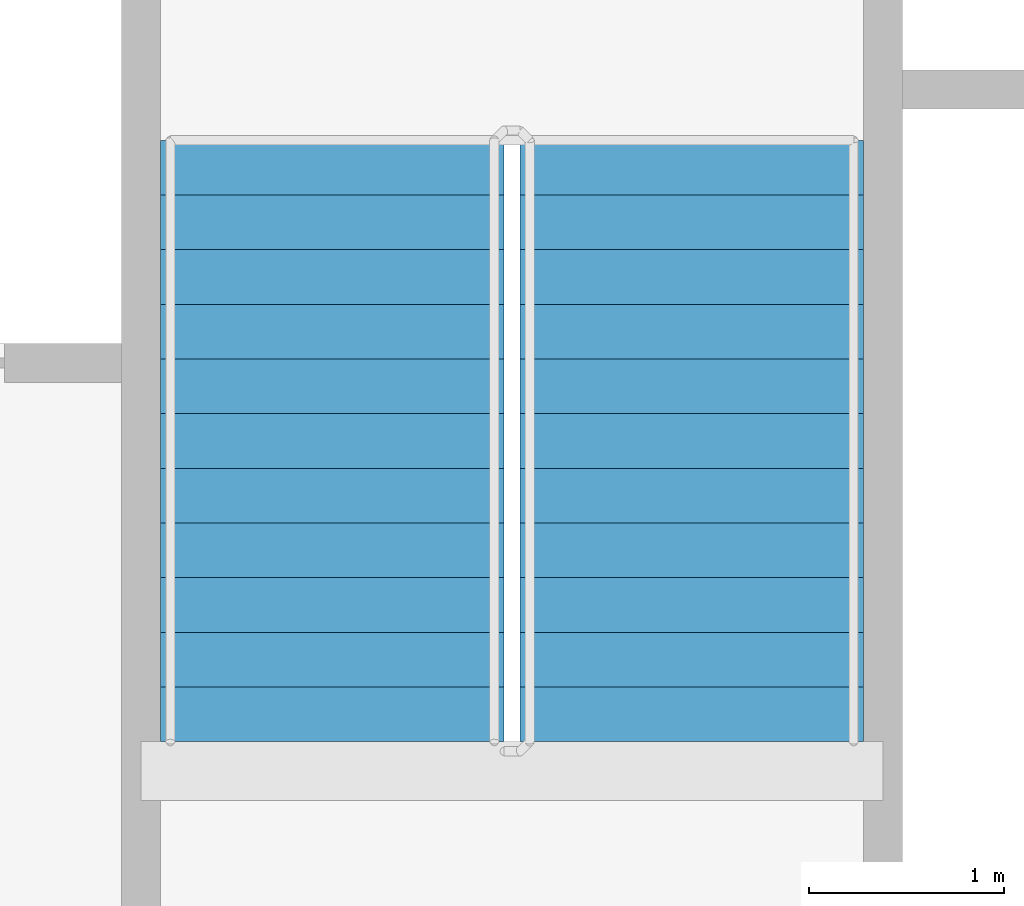
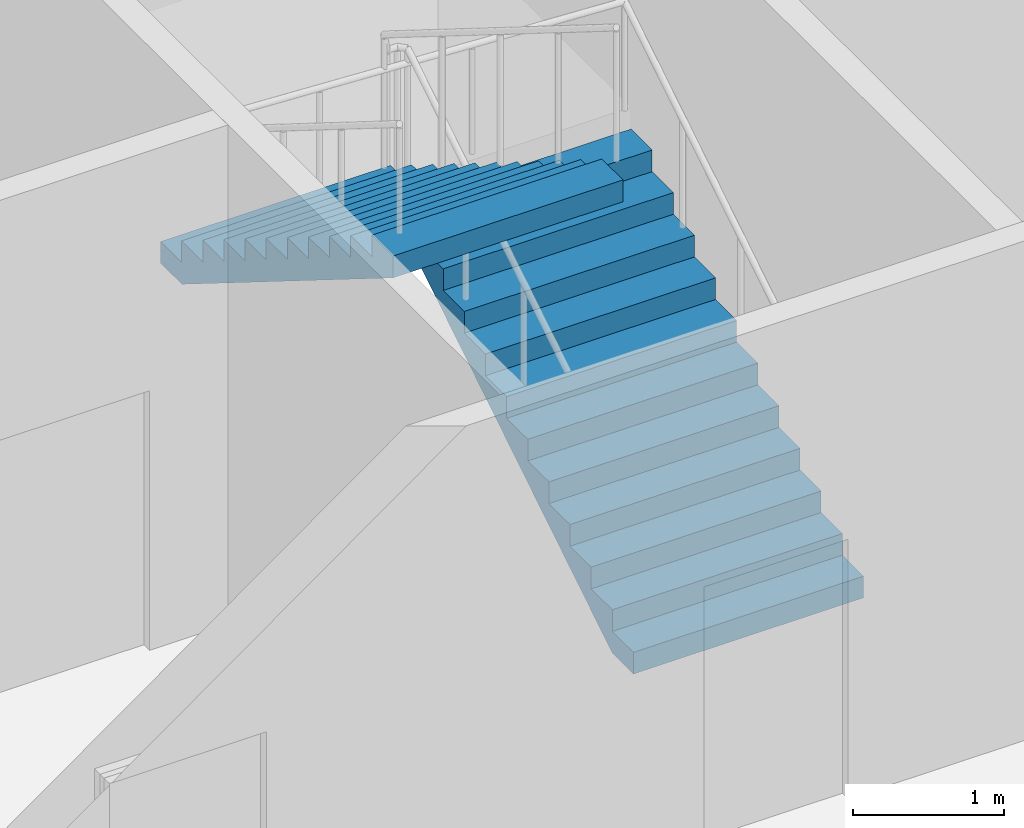
# One storey, part 31 of 36: 2 stair flights, 1 element without a shape of its own.
"""IFC4 building model written with IfcOpenShell, lengths in metres."""

from ifc_helpers import new_model, si_unit, direction, frame, origin, place, context, subcontext, project, spatial, faceted_brep, material, type_object, element, aggregate, save


model = new_model("IFC4")

# Units and contexts
model_context = context("Model", 3, precision=1e-05, world=origin(), true_north=direction((0.0, 1.0)))
body_context = subcontext(model_context, "Body", "Model", "MODEL_VIEW")
ifc_project = project(units=[si_unit("LENGTHUNIT", "METRE"), si_unit("AREAUNIT", "SQUARE_METRE"), si_unit("VOLUMEUNIT", "CUBIC_METRE"), si_unit("PLANEANGLEUNIT", "RADIAN"), si_unit("MASSUNIT", "GRAM", prefix="KILO")], contexts=[model_context])

# Site, building, storey
site_placement = place(None, origin())
site = spatial("IfcSite", under=ifc_project, at=site_placement, CompositionType="ELEMENT")
building_placement = place(site_placement, origin())
building = spatial("IfcBuilding", under=site, at=building_placement, Name="Tarsis Ring Headquarters", CompositionType="ELEMENT")
storey_placement = place(building_placement, frame((0.0, 0.0, 386.0)))
storey = spatial("IfcBuildingStorey", under=building, at=storey_placement, Name="L91", CompositionType="ELEMENT", Elevation=386.0)

# Stair, stair flights
ifc_material_1 = material(Name="Core stair 1760")
stair_type = type_object("IfcStairType", Name="Core stair 1760", PredefinedType="HALF_TURN_STAIR", material=ifc_material_1)
stair_placement = place(storey_placement, origin())
stair = element("IfcStair", 1, at=stair_placement, inside=storey, type_object=stair_type, Name="L91 Exit stair B", PredefinedType="HALF_TURN_STAIR")
ifc_material_2 = material(Name="Concrete C40/50", Category="concrete")
stair_flight_type = type_object("IfcStairFlightType", Name="Core stair flight 1760", PredefinedType="STRAIGHT", material=ifc_material_2)
stair_flight_1_placement = place(storey_placement, frame((5.419921875, 3.659912109375, 0.0), z_axis=(0.0, 0.0, 1.0), x_axis=(0.0, 1.0, 0.0)))
stair_flight_1 = element("IfcStairFlight", 2, at=stair_flight_1_placement, type_object=stair_flight_type, Name="Stair ST2 flight 1", NumberOfRisers=12, NumberOfTreads=11, PredefinedType="STRAIGHT", RiserHeight=0.175, TreadLength=0.28, context=body_context, shape_type="Brep", body=[
    faceted_brep([(0.0, 0.8798828125, 0.0), (0.0, 0.8798828125, 0.175048828125), (0.280029296875, 0.8798828125, 0.175048828125), (0.280029296875, 0.8798828125, 0.35009765625), (0.56005859375, 0.8798828125, 0.35009765625), (0.56005859375, 0.8798828125, 0.52490234375), (0.840087890625, 0.8798828125, 0.52490234375), (0.840087890625, 0.8798828125, 0.699951171875), (1.1201171875, 0.8798828125, 0.699951171875), (1.1201171875, 0.8798828125, 0.875), (1.39990234375, 0.8798828125, 0.875), (1.39990234375, 0.8798828125, 1.050048828125), (1.679931640625, 0.8798828125, 1.050048828125), (1.679931640625, 0.8798828125, 1.22509765625), (1.9599609375, 0.8798828125, 1.22509765625), (1.9599609375, 0.8798828125, 1.39990234375), (2.239990234375, 0.8798828125, 1.39990234375), (2.239990234375, 0.8798828125, 1.574951171875), (2.52001953125, 0.8798828125, 1.574951171875), (2.52001953125, 0.8798828125, 1.75), (2.800048828125, 0.8798828125, 1.75), (2.800048828125, 0.8798828125, 1.925048828125), (3.080078125, 0.8798828125, 1.925048828125), (3.080078125, 0.8798828125, 1.748291015625), (0.28271484375, 0.8798828125, 0.0), (0.28271484375, -0.8798828125, 0.0), (3.080078125, -0.8798828125, 1.748291015625), (3.080078125, -0.8798828125, 1.925048828125), (2.800048828125, -0.8798828125, 1.925048828125), (2.800048828125, -0.8798828125, 1.75), (2.52001953125, -0.8798828125, 1.75), (2.52001953125, -0.8798828125, 1.574951171875), (2.239990234375, -0.8798828125, 1.574951171875), (2.239990234375, -0.8798828125, 1.39990234375), (1.9599609375, -0.8798828125, 1.39990234375), (1.9599609375, -0.8798828125, 1.22509765625), (1.679931640625, -0.8798828125, 1.22509765625), (1.679931640625, -0.8798828125, 1.050048828125), (1.39990234375, -0.8798828125, 1.050048828125), (1.39990234375, -0.8798828125, 0.875), (1.1201171875, -0.8798828125, 0.875), (1.1201171875, -0.8798828125, 0.699951171875), (0.840087890625, -0.8798828125, 0.699951171875), (0.840087890625, -0.8798828125, 0.52490234375), (0.56005859375, -0.8798828125, 0.52490234375), (0.56005859375, -0.8798828125, 0.35009765625), (0.280029296875, -0.8798828125, 0.35009765625), (0.280029296875, -0.8798828125, 0.175048828125), (0.0, -0.8798828125, 0.175048828125), (0.0, -0.8798828125, 0.0), (0.0, -0.43994140625, 0.175048828125), (0.0, -0.43994140625, 0.0), (0.0, 0.0, 0.175048828125), (0.0, 0.0, 0.0), (0.0, 0.43994140625, 0.175048828125), (0.0, 0.43994140625, 0.0), (0.280029296875, -0.43994140625, 0.175048828125), (0.280029296875, 0.0, 0.175048828125), (0.280029296875, 0.43994140625, 0.175048828125), (0.280029296875, -0.43994140625, 0.35009765625), (0.280029296875, 0.0, 0.35009765625), (0.280029296875, 0.43994140625, 0.35009765625), (0.56005859375, -0.43994140625, 0.35009765625), (0.56005859375, 0.0, 0.35009765625), (0.56005859375, 0.43994140625, 0.35009765625), (0.56005859375, -0.43994140625, 0.52490234375), (0.56005859375, 0.0, 0.52490234375), (0.56005859375, 0.43994140625, 0.52490234375), (0.840087890625, -0.43994140625, 0.52490234375), (0.840087890625, 0.0, 0.52490234375), (0.840087890625, 0.43994140625, 0.52490234375), (0.840087890625, -0.43994140625, 0.699951171875), (0.840087890625, 0.0, 0.699951171875), (0.840087890625, 0.43994140625, 0.699951171875), (1.1201171875, -0.43994140625, 0.699951171875), (1.1201171875, 0.0, 0.699951171875), (1.1201171875, 0.43994140625, 0.699951171875), (1.1201171875, -0.43994140625, 0.875), (1.1201171875, 0.0, 0.875), (1.1201171875, 0.43994140625, 0.875), (1.39990234375, -0.43994140625, 0.875), (1.39990234375, 0.0, 0.875), (1.39990234375, 0.43994140625, 0.875), (1.39990234375, -0.43994140625, 1.050048828125), (1.39990234375, 0.0, 1.050048828125), (1.39990234375, 0.43994140625, 1.050048828125), (1.679931640625, -0.43994140625, 1.050048828125), (1.679931640625, 0.0, 1.050048828125), (1.679931640625, 0.43994140625, 1.050048828125), (1.679931640625, -0.43994140625, 1.22509765625), (1.679931640625, 0.0, 1.22509765625), (1.679931640625, 0.43994140625, 1.22509765625), (1.9599609375, -0.43994140625, 1.22509765625), (1.9599609375, 0.0, 1.22509765625), (1.9599609375, 0.43994140625, 1.22509765625), (1.9599609375, -0.43994140625, 1.39990234375), (1.9599609375, 0.0, 1.39990234375), (1.9599609375, 0.43994140625, 1.39990234375), (2.239990234375, -0.43994140625, 1.39990234375), (2.239990234375, 0.0, 1.39990234375), (2.239990234375, 0.43994140625, 1.39990234375), (2.239990234375, -0.43994140625, 1.574951171875), (2.239990234375, 0.0, 1.574951171875), (2.239990234375, 0.43994140625, 1.574951171875), (2.52001953125, -0.43994140625, 1.574951171875), (2.52001953125, 0.0, 1.574951171875), (2.52001953125, 0.43994140625, 1.574951171875), (2.52001953125, -0.43994140625, 1.75), (2.52001953125, 0.0, 1.75), (2.52001953125, 0.43994140625, 1.75), (2.800048828125, -0.43994140625, 1.75), (2.800048828125, 0.0, 1.75), (2.800048828125, 0.43994140625, 1.75), (2.800048828125, -0.43994140625, 1.925048828125), (2.800048828125, 0.0, 1.925048828125), (2.800048828125, 0.43994140625, 1.925048828125), (3.080078125, -0.43994140625, 1.925048828125), (3.080078125, 0.0, 1.925048828125), (3.080078125, 0.43994140625, 1.925048828125), (3.080078125, -0.43994140625, 1.748291015625), (3.080078125, 0.0, 1.748291015625), (3.080078125, 0.43994140625, 1.748291015625), (0.28271484375, -0.43994140625, 0.0), (0.28271484375, 0.0, 0.0), (0.28271484375, 0.43994140625, 0.0)], [[[0, 1, 2, 3, 4, 5, 6, 7, 8, 9, 10, 11, 12, 13, 14, 15, 16, 17, 18, 19, 20, 21, 22, 23, 24]], [[25, 26, 27, 28, 29, 30, 31, 32, 33, 34, 35, 36, 37, 38, 39, 40, 41, 42, 43, 44, 45, 46, 47, 48, 49]], [[49, 48, 50, 51]], [[51, 50, 52, 53]], [[53, 52, 54, 55]], [[55, 54, 1, 0]], [[48, 47, 56, 50]], [[50, 56, 57, 52]], [[52, 57, 58, 54]], [[54, 58, 2, 1]], [[47, 46, 59, 56]], [[56, 59, 60, 57]], [[57, 60, 61, 58]], [[58, 61, 3, 2]], [[46, 45, 62, 59]], [[59, 62, 63, 60]], [[60, 63, 64, 61]], [[61, 64, 4, 3]], [[45, 44, 65, 62]], [[62, 65, 66, 63]], [[63, 66, 67, 64]], [[64, 67, 5, 4]], [[44, 43, 68, 65]], [[65, 68, 69, 66]], [[66, 69, 70, 67]], [[67, 70, 6, 5]], [[43, 42, 71, 68]], [[68, 71, 72, 69]], [[69, 72, 73, 70]], [[70, 73, 7, 6]], [[42, 41, 74, 71]], [[71, 74, 75, 72]], [[72, 75, 76, 73]], [[73, 76, 8, 7]], [[41, 40, 77, 74]], [[74, 77, 78, 75]], [[75, 78, 79, 76]], [[76, 79, 9, 8]], [[40, 39, 80, 77]], [[77, 80, 81, 78]], [[78, 81, 82, 79]], [[79, 82, 10, 9]], [[39, 38, 83, 80]], [[80, 83, 84, 81]], [[81, 84, 85, 82]], [[82, 85, 11, 10]], [[38, 37, 86, 83]], [[83, 86, 87, 84]], [[84, 87, 88, 85]], [[85, 88, 12, 11]], [[37, 36, 89, 86]], [[86, 89, 90, 87]], [[87, 90, 91, 88]], [[88, 91, 13, 12]], [[36, 35, 92, 89]], [[89, 92, 93, 90]], [[90, 93, 94, 91]], [[91, 94, 14, 13]], [[35, 34, 95, 92]], [[92, 95, 96, 93]], [[93, 96, 97, 94]], [[94, 97, 15, 14]], [[34, 33, 98, 95]], [[95, 98, 99, 96]], [[96, 99, 100, 97]], [[97, 100, 16, 15]], [[33, 32, 101, 98]], [[98, 101, 102, 99]], [[99, 102, 103, 100]], [[100, 103, 17, 16]], [[32, 31, 104, 101]], [[101, 104, 105, 102]], [[102, 105, 106, 103]], [[103, 106, 18, 17]], [[31, 30, 107, 104]], [[104, 107, 108, 105]], [[105, 108, 109, 106]], [[106, 109, 19, 18]], [[30, 29, 110, 107]], [[107, 110, 111, 108]], [[108, 111, 112, 109]], [[109, 112, 20, 19]], [[29, 28, 113, 110]], [[110, 113, 114, 111]], [[111, 114, 115, 112]], [[112, 115, 21, 20]], [[28, 27, 116, 113]], [[113, 116, 117, 114]], [[114, 117, 118, 115]], [[115, 118, 22, 21]], [[27, 26, 119, 116]], [[116, 119, 120, 117]], [[117, 120, 121, 118]], [[118, 121, 23, 22]], [[26, 25, 122, 119]], [[119, 122, 123, 120]], [[120, 123, 124, 121]], [[121, 124, 24, 23]], [[25, 49, 51, 122]], [[122, 51, 53, 123]], [[123, 53, 55, 124]], [[124, 55, 0, 24]]]),
])
stair_flight_2_placement = place(storey_placement, frame((3.580078125, 6.739990234375, 2.10009765625), z_axis=(0.0, 0.0, 1.0), x_axis=(0.0, -1.0, 0.0)))
stair_flight_2 = element("IfcStairFlight", 3, at=stair_flight_2_placement, type_object=stair_flight_type, Name="Stair ST2 flight 2", NumberOfRisers=12, NumberOfTreads=11, PredefinedType="STRAIGHT", RiserHeight=0.175, TreadLength=0.28, context=body_context, shape_type="Brep", body=[
    faceted_brep([(0.0, 0.8798828125, 0.0), (0.0, 0.8798828125, 0.175048828125), (0.280029296875, 0.8798828125, 0.175048828125), (0.280029296875, 0.8798828125, 0.35009765625), (0.56005859375, 0.8798828125, 0.35009765625), (0.56005859375, 0.8798828125, 0.52490234375), (0.840087890625, 0.8798828125, 0.52490234375), (0.840087890625, 0.8798828125, 0.699951171875), (1.1201171875, 0.8798828125, 0.699951171875), (1.1201171875, 0.8798828125, 0.875), (1.39990234375, 0.8798828125, 0.875), (1.39990234375, 0.8798828125, 1.050048828125), (1.679931640625, 0.8798828125, 1.050048828125), (1.679931640625, 0.8798828125, 1.22509765625), (1.9599609375, 0.8798828125, 1.22509765625), (1.9599609375, 0.8798828125, 1.39990234375), (2.239990234375, 0.8798828125, 1.39990234375), (2.239990234375, 0.8798828125, 1.574951171875), (2.52001953125, 0.8798828125, 1.574951171875), (2.52001953125, 0.8798828125, 1.75), (2.800048828125, 0.8798828125, 1.75), (2.800048828125, 0.8798828125, 1.925048828125), (3.080078125, 0.8798828125, 1.925048828125), (3.080078125, 0.8798828125, 1.748291015625), (0.28271484375, 0.8798828125, 0.0), (0.28271484375, -0.8798828125, 0.0), (3.080078125, -0.8798828125, 1.748291015625), (3.080078125, -0.8798828125, 1.925048828125), (2.800048828125, -0.8798828125, 1.925048828125), (2.800048828125, -0.8798828125, 1.75), (2.52001953125, -0.8798828125, 1.75), (2.52001953125, -0.8798828125, 1.574951171875), (2.239990234375, -0.8798828125, 1.574951171875), (2.239990234375, -0.8798828125, 1.39990234375), (1.9599609375, -0.8798828125, 1.39990234375), (1.9599609375, -0.8798828125, 1.22509765625), (1.679931640625, -0.8798828125, 1.22509765625), (1.679931640625, -0.8798828125, 1.050048828125), (1.39990234375, -0.8798828125, 1.050048828125), (1.39990234375, -0.8798828125, 0.875), (1.1201171875, -0.8798828125, 0.875), (1.1201171875, -0.8798828125, 0.699951171875), (0.840087890625, -0.8798828125, 0.699951171875), (0.840087890625, -0.8798828125, 0.52490234375), (0.56005859375, -0.8798828125, 0.52490234375), (0.56005859375, -0.8798828125, 0.35009765625), (0.280029296875, -0.8798828125, 0.35009765625), (0.280029296875, -0.8798828125, 0.175048828125), (0.0, -0.8798828125, 0.175048828125), (0.0, -0.8798828125, 0.0), (0.0, -0.43994140625, 0.175048828125), (0.0, -0.43994140625, 0.0), (0.0, 0.0, 0.175048828125), (0.0, 0.0, 0.0), (0.0, 0.43994140625, 0.175048828125), (0.0, 0.43994140625, 0.0), (0.280029296875, -0.43994140625, 0.175048828125), (0.280029296875, 0.0, 0.175048828125), (0.280029296875, 0.43994140625, 0.175048828125), (0.280029296875, -0.43994140625, 0.35009765625), (0.280029296875, 0.0, 0.35009765625), (0.280029296875, 0.43994140625, 0.35009765625), (0.56005859375, -0.43994140625, 0.35009765625), (0.56005859375, 0.0, 0.35009765625), (0.56005859375, 0.43994140625, 0.35009765625), (0.56005859375, -0.43994140625, 0.52490234375), (0.56005859375, 0.0, 0.52490234375), (0.56005859375, 0.43994140625, 0.52490234375), (0.840087890625, -0.43994140625, 0.52490234375), (0.840087890625, 0.0, 0.52490234375), (0.840087890625, 0.43994140625, 0.52490234375), (0.840087890625, -0.43994140625, 0.699951171875), (0.840087890625, 0.0, 0.699951171875), (0.840087890625, 0.43994140625, 0.699951171875), (1.1201171875, -0.43994140625, 0.699951171875), (1.1201171875, 0.0, 0.699951171875), (1.1201171875, 0.43994140625, 0.699951171875), (1.1201171875, -0.43994140625, 0.875), (1.1201171875, 0.0, 0.875), (1.1201171875, 0.43994140625, 0.875), (1.39990234375, -0.43994140625, 0.875), (1.39990234375, 0.0, 0.875), (1.39990234375, 0.43994140625, 0.875), (1.39990234375, -0.43994140625, 1.050048828125), (1.39990234375, 0.0, 1.050048828125), (1.39990234375, 0.43994140625, 1.050048828125), (1.679931640625, -0.43994140625, 1.050048828125), (1.679931640625, 0.0, 1.050048828125), (1.679931640625, 0.43994140625, 1.050048828125), (1.679931640625, -0.43994140625, 1.22509765625), (1.679931640625, 0.0, 1.22509765625), (1.679931640625, 0.43994140625, 1.22509765625), (1.9599609375, -0.43994140625, 1.22509765625), (1.9599609375, 0.0, 1.22509765625), (1.9599609375, 0.43994140625, 1.22509765625), (1.9599609375, -0.43994140625, 1.39990234375), (1.9599609375, 0.0, 1.39990234375), (1.9599609375, 0.43994140625, 1.39990234375), (2.239990234375, -0.43994140625, 1.39990234375), (2.239990234375, 0.0, 1.39990234375), (2.239990234375, 0.43994140625, 1.39990234375), (2.239990234375, -0.43994140625, 1.574951171875), (2.239990234375, 0.0, 1.574951171875), (2.239990234375, 0.43994140625, 1.574951171875), (2.52001953125, -0.43994140625, 1.574951171875), (2.52001953125, 0.0, 1.574951171875), (2.52001953125, 0.43994140625, 1.574951171875), (2.52001953125, -0.43994140625, 1.75), (2.52001953125, 0.0, 1.75), (2.52001953125, 0.43994140625, 1.75), (2.800048828125, -0.43994140625, 1.75), (2.800048828125, 0.0, 1.75), (2.800048828125, 0.43994140625, 1.75), (2.800048828125, -0.43994140625, 1.925048828125), (2.800048828125, 0.0, 1.925048828125), (2.800048828125, 0.43994140625, 1.925048828125), (3.080078125, -0.43994140625, 1.925048828125), (3.080078125, 0.0, 1.925048828125), (3.080078125, 0.43994140625, 1.925048828125), (3.080078125, -0.43994140625, 1.748291015625), (3.080078125, 0.0, 1.748291015625), (3.080078125, 0.43994140625, 1.748291015625), (0.28271484375, -0.43994140625, 0.0), (0.28271484375, 0.0, 0.0), (0.28271484375, 0.43994140625, 0.0)], [[[0, 1, 2, 3, 4, 5, 6, 7, 8, 9, 10, 11, 12, 13, 14, 15, 16, 17, 18, 19, 20, 21, 22, 23, 24]], [[25, 26, 27, 28, 29, 30, 31, 32, 33, 34, 35, 36, 37, 38, 39, 40, 41, 42, 43, 44, 45, 46, 47, 48, 49]], [[49, 48, 50, 51]], [[51, 50, 52, 53]], [[53, 52, 54, 55]], [[55, 54, 1, 0]], [[48, 47, 56, 50]], [[50, 56, 57, 52]], [[52, 57, 58, 54]], [[54, 58, 2, 1]], [[47, 46, 59, 56]], [[56, 59, 60, 57]], [[57, 60, 61, 58]], [[58, 61, 3, 2]], [[46, 45, 62, 59]], [[59, 62, 63, 60]], [[60, 63, 64, 61]], [[61, 64, 4, 3]], [[45, 44, 65, 62]], [[62, 65, 66, 63]], [[63, 66, 67, 64]], [[64, 67, 5, 4]], [[44, 43, 68, 65]], [[65, 68, 69, 66]], [[66, 69, 70, 67]], [[67, 70, 6, 5]], [[43, 42, 71, 68]], [[68, 71, 72, 69]], [[69, 72, 73, 70]], [[70, 73, 7, 6]], [[42, 41, 74, 71]], [[71, 74, 75, 72]], [[72, 75, 76, 73]], [[73, 76, 8, 7]], [[41, 40, 77, 74]], [[74, 77, 78, 75]], [[75, 78, 79, 76]], [[76, 79, 9, 8]], [[40, 39, 80, 77]], [[77, 80, 81, 78]], [[78, 81, 82, 79]], [[79, 82, 10, 9]], [[39, 38, 83, 80]], [[80, 83, 84, 81]], [[81, 84, 85, 82]], [[82, 85, 11, 10]], [[38, 37, 86, 83]], [[83, 86, 87, 84]], [[84, 87, 88, 85]], [[85, 88, 12, 11]], [[37, 36, 89, 86]], [[86, 89, 90, 87]], [[87, 90, 91, 88]], [[88, 91, 13, 12]], [[36, 35, 92, 89]], [[89, 92, 93, 90]], [[90, 93, 94, 91]], [[91, 94, 14, 13]], [[35, 34, 95, 92]], [[92, 95, 96, 93]], [[93, 96, 97, 94]], [[94, 97, 15, 14]], [[34, 33, 98, 95]], [[95, 98, 99, 96]], [[96, 99, 100, 97]], [[97, 100, 16, 15]], [[33, 32, 101, 98]], [[98, 101, 102, 99]], [[99, 102, 103, 100]], [[100, 103, 17, 16]], [[32, 31, 104, 101]], [[101, 104, 105, 102]], [[102, 105, 106, 103]], [[103, 106, 18, 17]], [[31, 30, 107, 104]], [[104, 107, 108, 105]], [[105, 108, 109, 106]], [[106, 109, 19, 18]], [[30, 29, 110, 107]], [[107, 110, 111, 108]], [[108, 111, 112, 109]], [[109, 112, 20, 19]], [[29, 28, 113, 110]], [[110, 113, 114, 111]], [[111, 114, 115, 112]], [[112, 115, 21, 20]], [[28, 27, 116, 113]], [[113, 116, 117, 114]], [[114, 117, 118, 115]], [[115, 118, 22, 21]], [[27, 26, 119, 116]], [[116, 119, 120, 117]], [[117, 120, 121, 118]], [[118, 121, 23, 22]], [[26, 25, 122, 119]], [[119, 122, 123, 120]], [[120, 123, 124, 121]], [[121, 124, 24, 23]], [[25, 49, 51, 122]], [[122, 51, 53, 123]], [[123, 53, 55, 124]], [[124, 55, 0, 24]]]),
])
aggregate(stair, [stair_flight_1, stair_flight_2])

save(model, "model.ifc")
